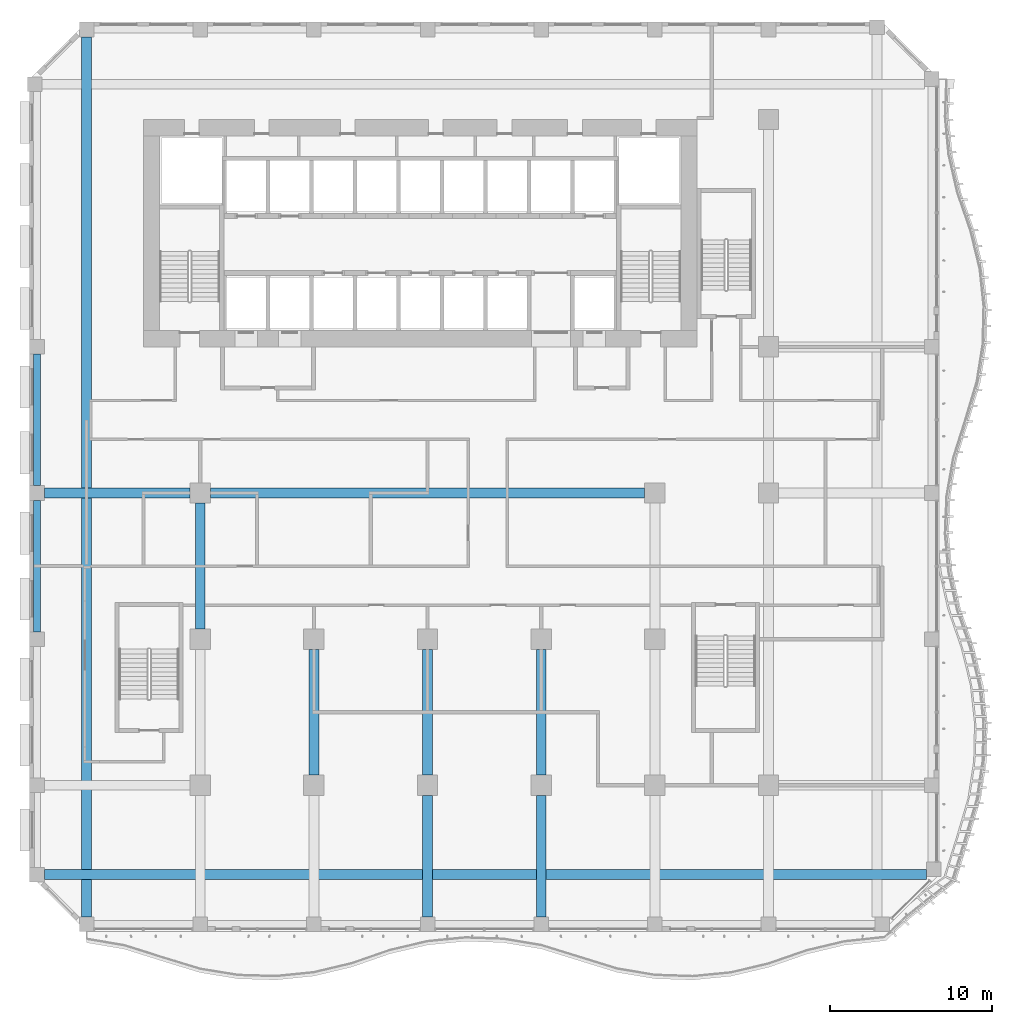
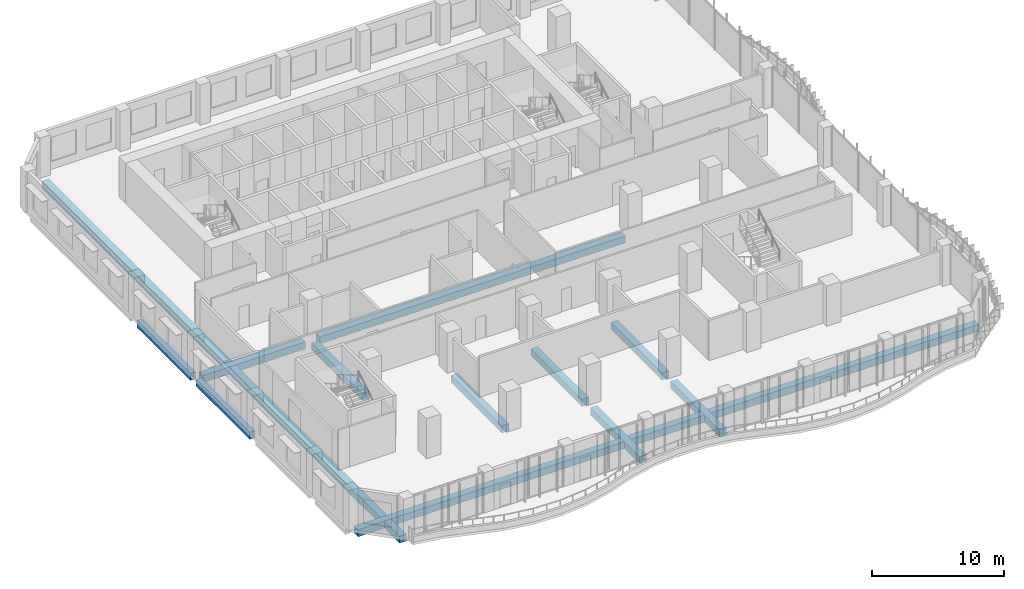
# One storey, part 3 of 27: 12 beams.
"""IFC4 building model written with IfcOpenShell, lengths in metres."""

from ifc_helpers import new_model, si_unit, direction, frame, origin, origin_2d, place, context, subcontext, project, spatial, rectangle, extrude, source, transform, mapped, material, material_profile, profile_set, type_object, element, save


model = new_model("IFC4")

# Units and contexts
model_context = context("Model", 3, precision=1e-05, world=origin(), true_north=direction((0.0, 1.0)))
body_context = subcontext(model_context, "Body", "Model", "MODEL_VIEW")
ifc_project = project(units=[si_unit("LENGTHUNIT", "METRE"), si_unit("AREAUNIT", "SQUARE_METRE"), si_unit("VOLUMEUNIT", "CUBIC_METRE"), si_unit("PLANEANGLEUNIT", "RADIAN"), si_unit("MASSUNIT", "GRAM", prefix="KILO")], contexts=[model_context])

# Site, building, storey
site_placement = place(None, origin())
site = spatial("IfcSite", under=ifc_project, at=site_placement, CompositionType="ELEMENT")
building_placement = place(site_placement, origin())
building = spatial("IfcBuilding", under=site, at=building_placement, Name="Kilnfold Tower and Market Hall", CompositionType="ELEMENT")
storey_placement = place(building_placement, frame((0.0, 0.0, 71.199951171875)))
storey = spatial("IfcBuildingStorey", under=building, at=storey_placement, Name="L16", CompositionType="ELEMENT", Elevation=71.199951171875)

# Beams
ifc_material_1 = material(Name="Concrete C45", Category="concrete")
ifc_material_profile_1 = material_profile(ifc_material_1, rectangle(XDim=0.60009765625, YDim=0.64990234375, at=origin_2d()), Name="RC 600x650")
ifc_profile_set_1 = profile_set([ifc_material_profile_1], Name="Concrete C45")
beam_type_1 = type_object("IfcBeamType", Name="BEAM 600X650 C45", PredefinedType="BEAM", material=ifc_profile_set_1)
shared_shape_1 = source(origin(), body_context, "Body", "SweptSolid", [
    extrude(rectangle(XDim=0.60009765625, YDim=0.64990234375, at=origin_2d()), origin(), (0.0, 0.0, 1.0), 54.331787109375),
])
beam_1_placement = place(storey_placement, frame((-22.10009765625, -24.5, -0.60498046875), z_axis=(1.0, 0.0, 0.0), x_axis=(0.0, 1.0, 0.0)))
element("IfcBeam", 1, at=beam_1_placement, inside=storey, type_object=beam_type_1, Name="Beam BB650-B2.67", PredefinedType="BEAM", context=body_context, shape_type="MappedRepresentation", body=[
    mapped(shared_shape_1, transform((0.0, 0.0, 0.0))),
])
ifc_material_2 = material(Name="Concrete C45", Category="concrete")
ifc_material_profile_2 = material_profile(ifc_material_2, rectangle(XDim=0.449951171875, YDim=0.64990234375, at=origin_2d()), Name="RC 450x650")
ifc_profile_set_2 = profile_set([ifc_material_profile_2], Name="Concrete C45")
beam_type_2 = type_object("IfcBeamType", Name="EDGE BEAM 450X650 C45", PredefinedType="BEAM", material=ifc_profile_set_2)
shared_shape_2 = source(origin(), body_context, "Body", "SweptSolid", [
    extrude(rectangle(XDim=0.449951171875, YDim=0.64990234375, at=origin_2d()), origin(), (0.0, 0.0, 1.0), 8.10009765625),
])
for number, where, z_axis, x_axis, name in (
    (2, (-22.550048828125, -9.550048828125, -0.60498046875), (0.0, 1.0, 0.0), (-1.0, 0.0, 0.0), "Beam EB650-B2.39"),
    (3, (-22.550048828125, -0.550048828125, -0.60498046875), (0.0, 1.0, 0.0), (-1.0, 0.0, 0.0), "Beam EB650-B2.40"),
):
    element("IfcBeam", number, at=place(storey_placement, frame(where, z_axis=z_axis, x_axis=x_axis)), inside=storey, type_object=beam_type_2, Name=name, PredefinedType="BEAM", context=body_context, shape_type="MappedRepresentation", body=[
        mapped(shared_shape_2, transform((0.0, 0.0, 0.0))),
    ])
shared_shape_3 = source(origin(), body_context, "Body", "SweptSolid", [
    extrude(rectangle(XDim=0.60009765625, YDim=0.64990234375, at=origin_2d()), origin(), (0.0, 0.0, 1.0), 54.2001953125),
])
beam_2_placement = place(storey_placement, frame((-19.5, -27.10009765625, -0.60498046875), z_axis=(0.0, 1.0, 0.0), x_axis=(-1.0, 0.0, 0.0)))
element("IfcBeam", 4, at=beam_2_placement, inside=storey, type_object=beam_type_1, Name="Beam BB650-B2.42", PredefinedType="BEAM", context=body_context, shape_type="MappedRepresentation", body=[
    mapped(shared_shape_3, transform((0.0, 0.0, 0.0))),
])
shared_shape_4 = source(origin(), body_context, "Body", "SweptSolid", [
    extrude(rectangle(XDim=0.60009765625, YDim=0.64990234375, at=origin_2d()), origin(), (0.0, 0.0, 1.0), 8.97509765625),
])
beam_3_placement = place(storey_placement, frame((-22.10009765625, -1.0, -0.60498046875), z_axis=(1.0, 0.0, 0.0), x_axis=(0.0, 1.0, 0.0)))
element("IfcBeam", 5, at=beam_3_placement, inside=storey, type_object=beam_type_1, Name="Beam BB650-B2.70", PredefinedType="BEAM", context=body_context, shape_type="MappedRepresentation", body=[
    mapped(shared_shape_4, transform((0.0, 0.0, 0.0))),
])
shared_shape_5 = source(origin(), body_context, "Body", "SweptSolid", [
    extrude(rectangle(XDim=0.60009765625, YDim=0.64990234375, at=origin_2d()), origin(), (0.0, 0.0, 1.0), 26.75),
])
beam_4_placement = place(storey_placement, frame((-11.875, -1.0, -0.60498046875), z_axis=(1.0, 0.0, 0.0), x_axis=(0.0, 1.0, 0.0)))
element("IfcBeam", 6, at=beam_4_placement, inside=storey, type_object=beam_type_1, Name="Beam BB650-B2.71", PredefinedType="BEAM", context=body_context, shape_type="MappedRepresentation", body=[
    mapped(shared_shape_5, transform((0.0, 0.0, 0.0))),
])
shared_shape_6 = source(origin(), body_context, "Body", "SweptSolid", [
    extrude(rectangle(XDim=0.60009765625, YDim=0.64990234375, at=origin_2d()), origin(), (0.0, 0.0, 1.0), 7.47509765625),
])
for number, where, z_axis, x_axis, name in (
    (7, (1.5, -27.10009765625, -0.60498046875), (0.0, 1.0, 0.0), (-1.0, 0.0, 0.0), "Beam BB650-B2.87"),
    (8, (8.5, -27.10009765625, -0.60498046875), (0.0, 1.0, 0.0), (-1.0, 0.0, 0.0), "Beam BB650-B2.89"),
):
    element("IfcBeam", number, at=place(storey_placement, frame(where, z_axis=z_axis, x_axis=x_axis)), inside=storey, type_object=beam_type_1, Name=name, PredefinedType="BEAM", context=body_context, shape_type="MappedRepresentation", body=[
        mapped(shared_shape_6, transform((0.0, 0.0, 0.0))),
    ])
shared_shape_7 = source(origin(), body_context, "Body", "SweptSolid", [
    extrude(rectangle(XDim=0.60009765625, YDim=0.64990234375, at=origin_2d()), origin(), (0.0, 0.0, 1.0), 7.75),
])
for number, where, z_axis, x_axis, name in (
    (9, (-12.5, -9.375, -0.60498046875), (0.0, 1.0, 0.0), (-1.0, 0.0, 0.0), "Beam BB650-B2.84"),
    (10, (-5.5, -18.375, -0.60498046875), (0.0, 1.0, 0.0), (-1.0, 0.0, 0.0), "Beam BB650-B2.86"),
    (11, (1.5, -18.375, -0.60498046875), (0.0, 1.0, 0.0), (-1.0, 0.0, 0.0), "Beam BB650-B2.88"),
    (12, (8.5, -18.375, -0.60498046875), (0.0, 1.0, 0.0), (-1.0, 0.0, 0.0), "Beam BB650-B2.90"),
):
    element("IfcBeam", number, at=place(storey_placement, frame(where, z_axis=z_axis, x_axis=x_axis)), inside=storey, type_object=beam_type_1, Name=name, PredefinedType="BEAM", context=body_context, shape_type="MappedRepresentation", body=[
        mapped(shared_shape_7, transform((0.0, 0.0, 0.0))),
    ])

save(model, "model.ifc")
